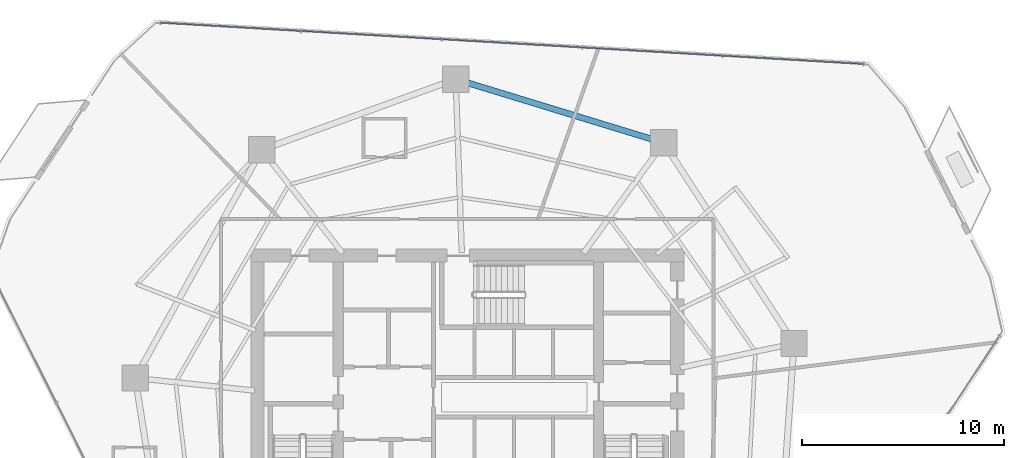
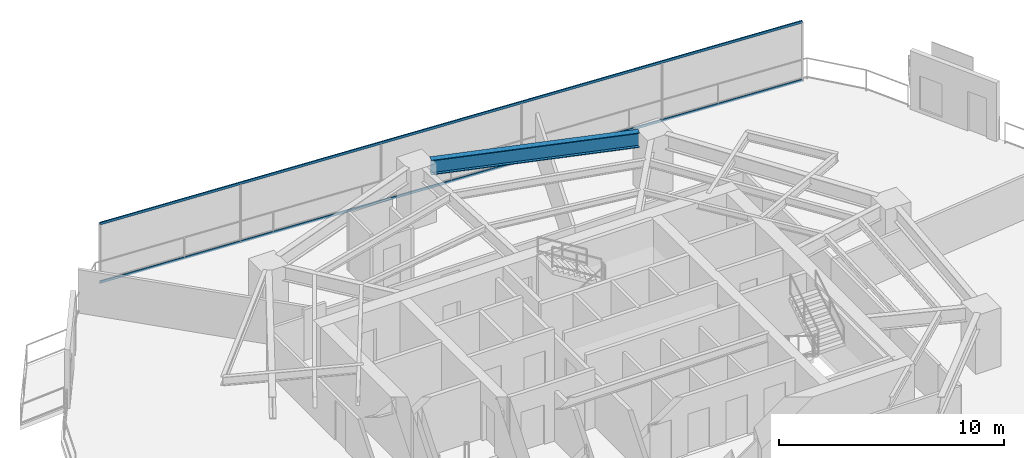
# One storey, part 19 of 28: 2 members, 1 beam, 1 element without a shape of its own.
"""IFC4 building model written with IfcOpenShell, lengths in metres."""

from ifc_helpers import new_model, si_unit, direction, frame, origin, origin_2d, place, context, subcontext, project, spatial, hollow_rectangle, i_section, extrude, material, layer, layer_set, material_profile, profile_set, type_object, element, aggregate, save


model = new_model("IFC4")

# Units and contexts
model_context = context("Model", 3, precision=1e-05, world=origin(), true_north=direction((0.0, 1.0)))
body_context = subcontext(model_context, "Body", "Model", "MODEL_VIEW")
ifc_project = project(units=[si_unit("LENGTHUNIT", "METRE"), si_unit("AREAUNIT", "SQUARE_METRE"), si_unit("VOLUMEUNIT", "CUBIC_METRE"), si_unit("PLANEANGLEUNIT", "RADIAN"), si_unit("MASSUNIT", "GRAM", prefix="KILO")], contexts=[model_context])

# Site, building, storey
site_placement = place(None, origin())
site = spatial("IfcSite", under=ifc_project, at=site_placement, CompositionType="ELEMENT")
building_placement = place(site_placement, origin())
building = spatial("IfcBuilding", under=site, at=building_placement, Name="Qarnah Convention Tower", CompositionType="ELEMENT")
storey_placement = place(building_placement, frame((0.0, 0.0, 54.60009765625)))
storey = spatial("IfcBuildingStorey", under=building, at=storey_placement, Name="L13", CompositionType="ELEMENT", Elevation=54.60009765625)

# Beam
ifc_material_1 = material(Name="Structural steel S355JR", Category="steel")
ifc_material_profile_1 = material_profile(ifc_material_1, i_section(OverallWidth=0.300048828125, OverallDepth=0.800048828125, WebThickness=0.01806640625, FlangeThickness=0.032958984375, at=origin_2d()), Name="HEB800")
ifc_profile_set_1 = profile_set([ifc_material_profile_1], Name="Structural steel S355JR")
beam_type = type_object("IfcBeamType", Name="BM-RING-HEB800", PredefinedType="BEAM", material=ifc_profile_set_1)
beam_placement = place(storey_placement, frame((46.31591796875, 39.97607421875, 2.77001953125), z_axis=(-0.956298871663, 0.292390950707, 0.0), x_axis=(-0.292390950707, -0.956298871663, 0.0)))
element("IfcBeam", 1, at=beam_placement, inside=storey, type_object=beam_type, Name="L13 beam BM-L13-SPN-02", PredefinedType="BEAM", context=body_context, shape_type="SweptSolid", body=[
    extrude(i_section(OverallWidth=0.300048828125, OverallDepth=0.800048828125, WebThickness=0.01806640625, FlangeThickness=0.032958984375, at=origin_2d()), origin(), (0.0, 0.0, 1.0), 9.4970703125),
])

# Curtain wall, members
ifc_material_2 = material(Name="Tempered Low-E dark glass", Category="glass")
ifc_layer = layer(ifc_material_2, 0.16796875)
ifc_layer_set = layer_set([ifc_layer], Name="Tempered Low-E dark glass")
curtain_wall_type = type_object("IfcCurtainWallType", Name="CWS-01", PredefinedType="NOTDEFINED", material=ifc_layer_set)
curtain_wall_placement = place(storey_placement, origin())
curtain_wall = element("IfcCurtainWall", 2, at=curtain_wall_placement, inside=storey, type_object=curtain_wall_type, Name="L13 unitised curtain wall CW-L13-F1", PredefinedType="NOTDEFINED")
ifc_material_3 = material(Name="Black anodised aluminium", Category="aluminium")
ifc_material_profile_2 = material_profile(ifc_material_3, hollow_rectangle(XDim=0.06005859375, YDim=0.1298828125, WallThickness=0.00390625, at=origin_2d()), Name="TRN-60X130")
ifc_profile_set_2 = profile_set([ifc_material_profile_2], Name="Black anodised aluminium")
member_type = type_object("IfcMemberType", Name="TRN-T1", PredefinedType="USERDEFINED", material=ifc_profile_set_2)
member_1_placement = place(storey_placement, frame((21.99609375, 45.737060546875, 0.0), z_axis=(0.998280496559, -0.058617831671, 0.0), x_axis=(0.058617831671, 0.998280496559, 0.0)))
member_1 = element("IfcMember", 3, at=member_1_placement, type_object=member_type, Name="CW-L13-F1 transom 1", ObjectType="TRANSOM", PredefinedType="USERDEFINED", context=body_context, shape_type="SweptSolid", body=[
    extrude(hollow_rectangle(XDim=0.06005859375, YDim=0.1298828125, WallThickness=0.00390625, at=origin_2d()), origin(), (0.0, 0.0, 1.0), 34.889892578125),
])
member_2_placement = place(storey_placement, frame((21.99609375, 45.737060546875, 3.169921875), z_axis=(0.998280496559, -0.058617831671, 0.0), x_axis=(0.058617831671, 0.998280496559, 0.0)))
member_2 = element("IfcMember", 4, at=member_2_placement, type_object=member_type, Name="CW-L13-F1 transom 2", ObjectType="TRANSOM", PredefinedType="USERDEFINED", context=body_context, shape_type="SweptSolid", body=[
    extrude(hollow_rectangle(XDim=0.06005859375, YDim=0.1298828125, WallThickness=0.00390625, at=origin_2d()), origin(), (0.0, 0.0, 1.0), 34.889892578125),
])
aggregate(curtain_wall, [member_1, member_2])

save(model, "model.ifc")
